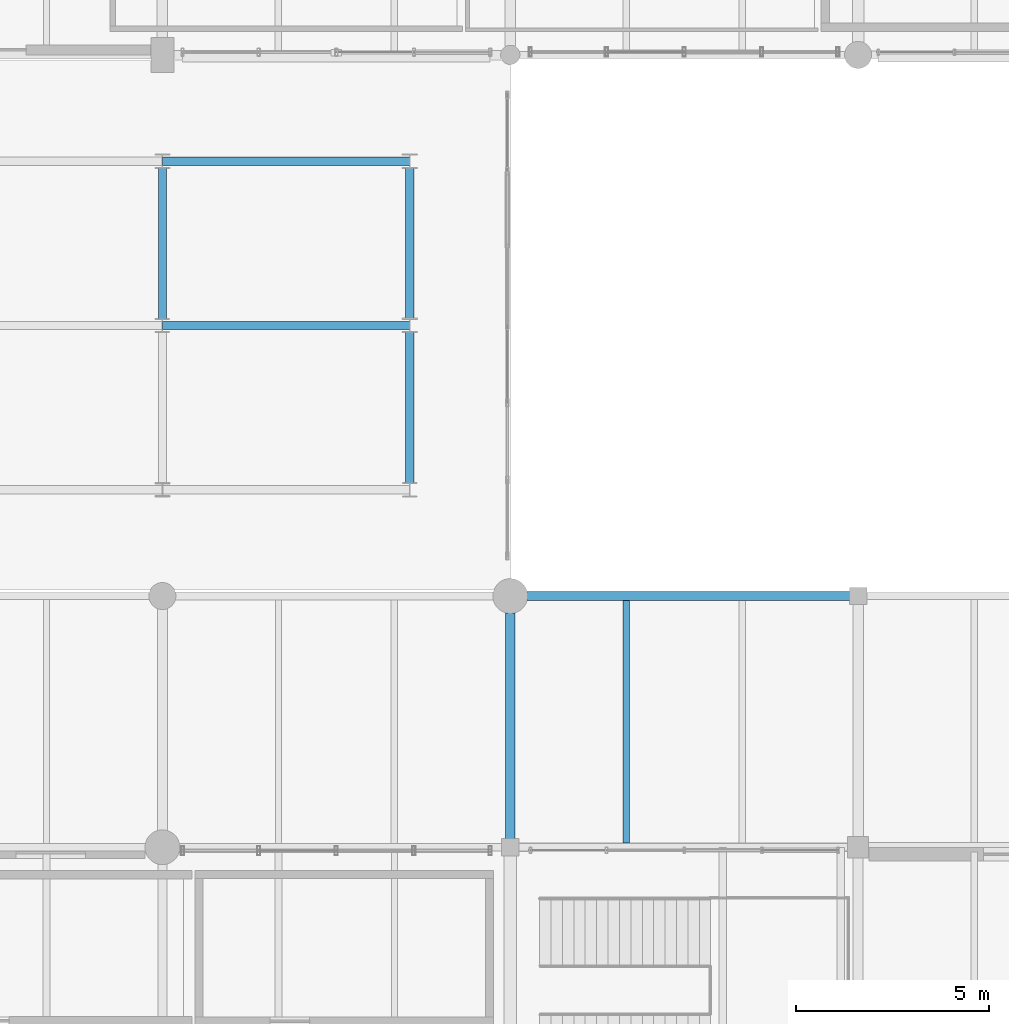
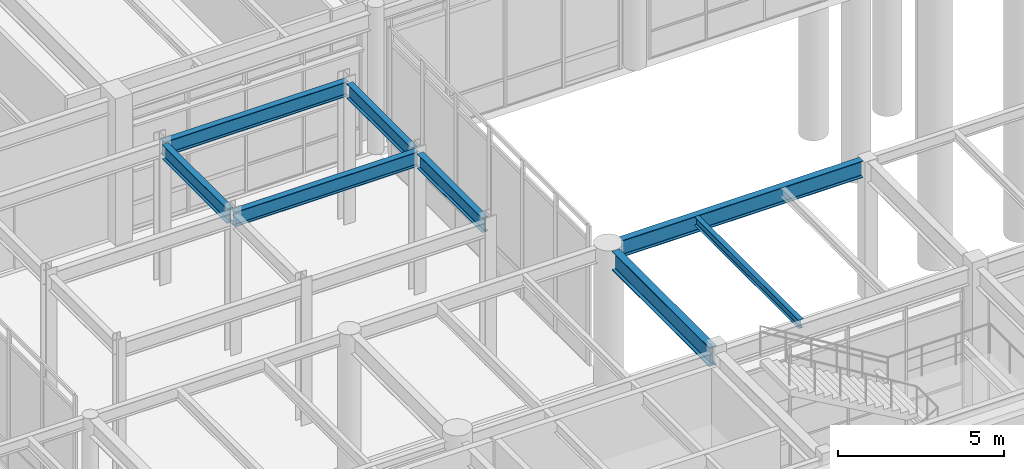
# One storey, part 76 of 203: 8 beams.
"""IFC4 building model written with IfcOpenShell, lengths in metres."""

from ifc_helpers import new_model, si_unit, direction, frame, origin, origin_2d, place, context, subcontext, project, spatial, i_section, extrude, material, material_profile, profile_set, type_object, element, save


model = new_model("IFC4")

# Units and contexts
model_context = context("Model", 3, precision=1e-05, world=origin(), true_north=direction((0.0, 1.0)))
body_context = subcontext(model_context, "Body", "Model", "MODEL_VIEW")
ifc_project = project(units=[si_unit("LENGTHUNIT", "METRE"), si_unit("AREAUNIT", "SQUARE_METRE"), si_unit("VOLUMEUNIT", "CUBIC_METRE"), si_unit("PLANEANGLEUNIT", "RADIAN"), si_unit("MASSUNIT", "GRAM", prefix="KILO"), si_unit("THERMODYNAMICTEMPERATUREUNIT", "KELVIN"), si_unit("POWERUNIT", "WATT")], contexts=[model_context])

# Site, building, storey
site_placement = place(None, origin())
site = spatial("IfcSite", under=ifc_project, at=site_placement, CompositionType="ELEMENT")
building_placement = place(site_placement, origin())
building = spatial("IfcBuilding", under=site, at=building_placement, Name="Tepalcoro Natatorium and Aquatics Centre", CompositionType="ELEMENT")
storey_placement = place(building_placement, origin())
storey = spatial("IfcBuildingStorey", under=building, at=storey_placement, Name="L00", CompositionType="ELEMENT", Elevation=0.0)

# Beams
ifc_material = material(Name="Steel ASTM A992 Grade 50 (Fy 345 MPa)", Category="steel")
ifc_material_profile_1 = material_profile(ifc_material, i_section(OverallWidth=0.2109375, OverallDepth=0.5380859375, WebThickness=0.011962890625, FlangeThickness=0.01904296875, FilletRadius=0.013916015625, at=origin_2d()), Name="W21X73")
ifc_profile_set_1 = profile_set([ifc_material_profile_1], Name="Steel ASTM A992 Grade 50 (Fy 345 MPa)")
beam_type_1 = type_object("IfcBeamType", Name="BM_LINK_LB1", PredefinedType="BEAM", material=ifc_profile_set_1)
for number, where, z_axis, x_axis, name in (
    (1, (62.0, 79.0, 4.89599609375), (1.0, 0.0, 0.0), (0.0, 1.0, 0.0), "Seismic passage link beam LB1 (V6NW L00)"),
    (2, (62.0, 83.25, 4.89599609375), (1.0, 0.0, 0.0), (0.0, 1.0, 0.0), "Seismic passage link beam LB1 (V6NW L00)"),
):
    element("IfcBeam", number, at=place(storey_placement, frame(where, z_axis=z_axis, x_axis=x_axis)), inside=storey, type_object=beam_type_1, Name=name, PredefinedType="BEAM", context=body_context, shape_type="SweptSolid", body=[
        extrude(i_section(OverallWidth=0.2109375, OverallDepth=0.5380859375, WebThickness=0.011962890625, FlangeThickness=0.01904296875, FilletRadius=0.013916015625, at=origin_2d()), origin(), (0.0, 0.0, 1.0), 6.39990234375),
    ])
for number, where, z_axis, x_axis, name in (
    (3, (62.0, 79.1630859375, 4.89599609375), (0.0, 1.0, 0.0), (-1.0, 0.0, 0.0), "Seismic passage link beam LB1 (V6NW L00)"),
    (4, (68.39990234375, 74.9130859375, 4.89599609375), (0.0, 1.0, 0.0), (-1.0, 0.0, 0.0), "Seismic passage link beam LB1 (V6NW L00)"),
):
    element("IfcBeam", number, at=place(storey_placement, frame(where, z_axis=z_axis, x_axis=x_axis)), inside=storey, type_object=beam_type_1, Name=name, PredefinedType="BEAM", context=body_context, shape_type="SweptSolid", body=[
        extrude(i_section(OverallWidth=0.2109375, OverallDepth=0.5380859375, WebThickness=0.011962890625, FlangeThickness=0.01904296875, FilletRadius=0.013916015625, at=origin_2d()), origin(), (0.0, 0.0, 1.0), 3.919921875),
    ])
beam_1_placement = place(storey_placement, frame((68.39990234375, 79.1669921875, 4.89599609375), z_axis=(0.0, 1.0, 0.0), x_axis=(-1.0, 0.0, 0.0)))
element("IfcBeam", 5, at=beam_1_placement, inside=storey, type_object=beam_type_1, Name="Seismic passage link beam LB1 (V6NW L00)", PredefinedType="BEAM", context=body_context, shape_type="SweptSolid", body=[
    extrude(i_section(OverallWidth=0.2109375, OverallDepth=0.5380859375, WebThickness=0.011962890625, FlangeThickness=0.01904296875, FilletRadius=0.013916015625, at=origin_2d()), origin(), (0.0, 0.0, 1.0), 3.910888671875),
])
ifc_material_profile_2 = material_profile(ifc_material, i_section(OverallWidth=0.25390625, OverallDepth=0.700927734375, WebThickness=0.014892578125, FlangeThickness=0.028076171875, FilletRadius=0.013916015625, at=origin_2d()), Name="W27X129")
ifc_profile_set_2 = profile_set([ifc_material_profile_2], Name="Steel ASTM A992 Grade 50 (Fy 345 MPa)")
beam_type_2 = type_object("IfcBeamType", Name="BM_W27x129", PredefinedType="BEAM", material=ifc_profile_set_2)
beam_2_placement = place(storey_placement, frame((71.0, 65.7099609375, 4.734619140625), z_axis=(0.0, 1.0, 0.0), x_axis=(-1.0, 0.0, 0.0)))
element("IfcBeam", 6, at=beam_2_placement, inside=storey, type_object=beam_type_2, Name="V1 L00 Grid Girder Y", PredefinedType="BEAM", context=body_context, shape_type="SweptSolid", body=[
    extrude(i_section(OverallWidth=0.25390625, OverallDepth=0.700927734375, WebThickness=0.014892578125, FlangeThickness=0.028076171875, FilletRadius=0.013916015625, at=origin_2d()), origin(), (0.0, 0.0, 1.0), 5.85498046875),
])
ifc_material_profile_3 = material_profile(ifc_material, i_section(OverallWidth=0.1650390625, OverallDepth=0.31005859375, WebThickness=0.006103515625, FlangeThickness=0.010009765625, FilletRadius=0.013916015625, at=origin_2d()), Name="W12X26")
ifc_profile_set_3 = profile_set([ifc_material_profile_3], Name="Steel ASTM A992 Grade 50 (Fy 345 MPa)")
beam_type_3 = type_object("IfcBeamType", Name="JS_W12x26", PredefinedType="JOIST", material=ifc_profile_set_3)
beam_3_placement = place(storey_placement, frame((74.0, 65.614013671875, 4.929931640625), z_axis=(0.0, 1.0, 0.0), x_axis=(-1.0, 0.0, 0.0)))
element("IfcBeam", 7, at=beam_3_placement, inside=storey, type_object=beam_type_3, Name="V1 L00 Floor Joist", PredefinedType="JOIST", context=body_context, shape_type="SweptSolid", body=[
    extrude(i_section(OverallWidth=0.1650390625, OverallDepth=0.31005859375, WebThickness=0.006103515625, FlangeThickness=0.010009765625, FilletRadius=0.013916015625, at=origin_2d()), origin(), (0.0, 0.0, 1.0), 6.271484375),
])
ifc_material_profile_4 = material_profile(ifc_material, i_section(OverallWidth=0.22900390625, OverallDepth=0.612060546875, WebThickness=0.011962890625, FlangeThickness=0.02001953125, FilletRadius=0.013916015625, at=origin_2d()), Name="W24X84")
ifc_profile_set_4 = profile_set([ifc_material_profile_4], Name="Steel ASTM A992 Grade 50 (Fy 345 MPa)")
beam_type_4 = type_object("IfcBeamType", Name="SP_W24x84", PredefinedType="SPANDREL", material=ifc_profile_set_4)
beam_4_placement = place(storey_placement, frame((71.43505859375, 72.0, 4.779052734375), z_axis=(1.0, 0.0, 0.0), x_axis=(0.0, 1.0, 0.0)))
element("IfcBeam", 8, at=beam_4_placement, inside=storey, type_object=beam_type_4, Name="V1 L00 Grid Girder X", PredefinedType="SPANDREL", context=body_context, shape_type="SweptSolid", body=[
    extrude(i_section(OverallWidth=0.22900390625, OverallDepth=0.612060546875, WebThickness=0.011962890625, FlangeThickness=0.02001953125, FilletRadius=0.013916015625, at=origin_2d()), origin(), (0.0, 0.0, 1.0), 8.35498046875),
])

save(model, "model.ifc")
